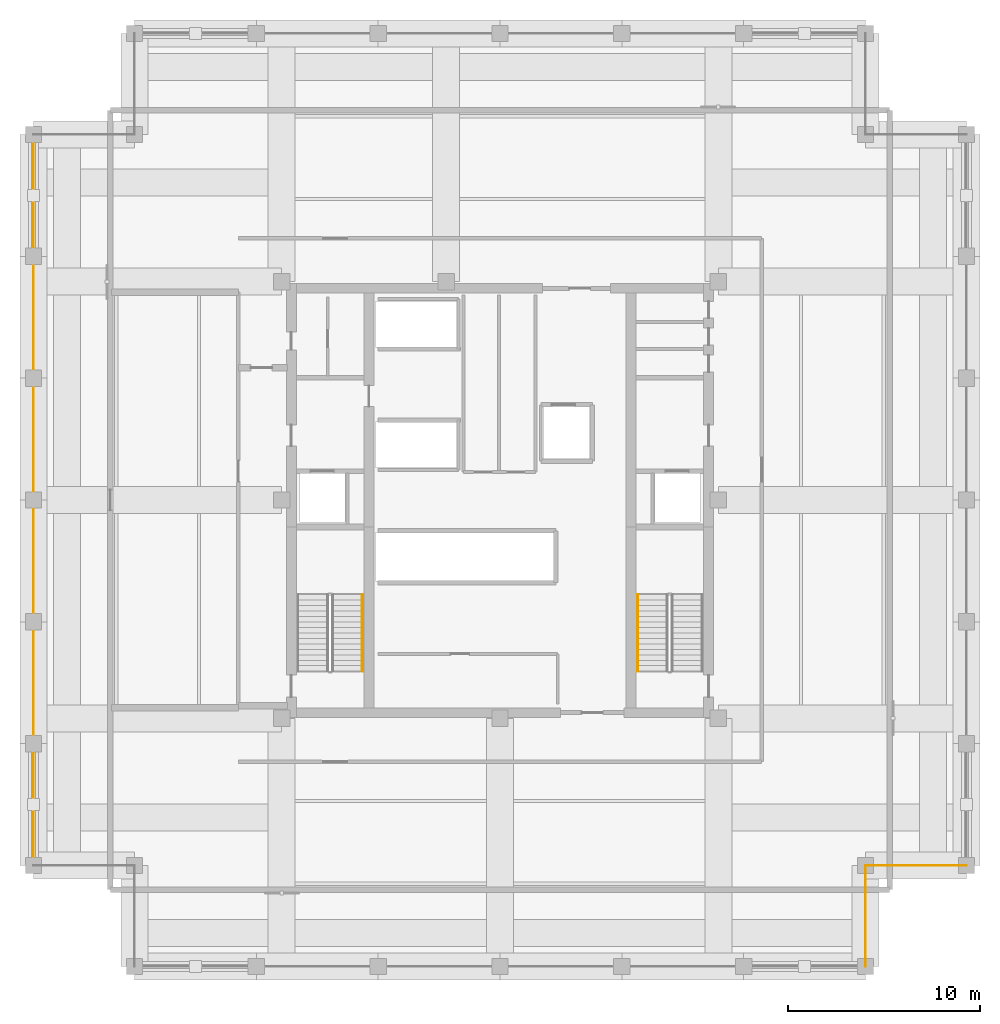
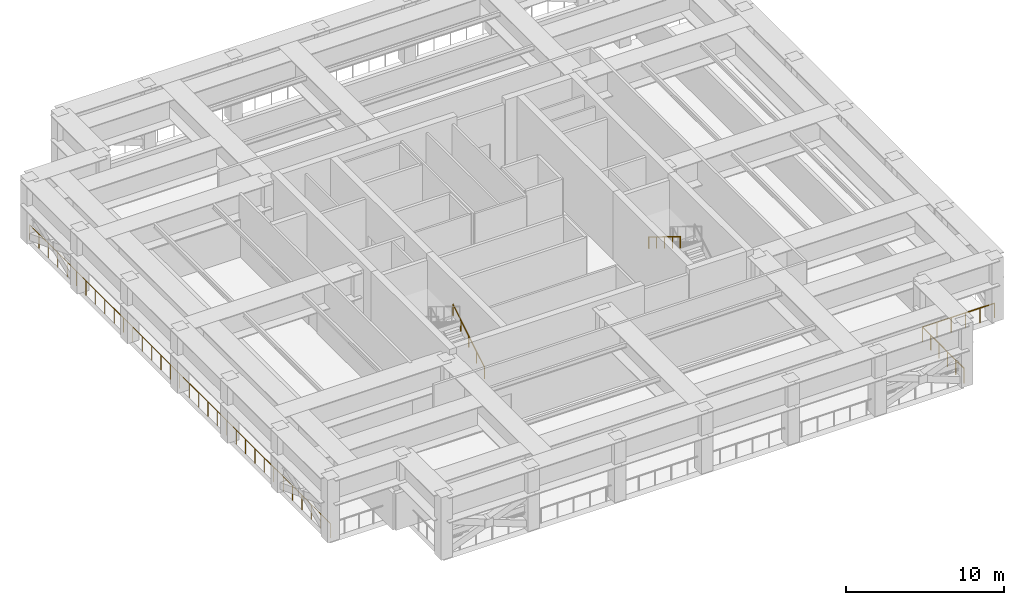
# One storey, part 8 of 10: 5 railings.
"""IFC4 building model written with IfcOpenShell, lengths in metres."""

from ifc_helpers import new_model, si_unit, direction, frame, origin, origin_2d, place, context, subcontext, project, spatial, circle, extrude, material, type_object, element, save


model = new_model("IFC4")

# Units and contexts
model_context = context("Model", 3, precision=1e-05, world=origin(), true_north=direction((0.0, 1.0)))
body_context = subcontext(model_context, "Body", "Model", "MODEL_VIEW")
ifc_project = project(units=[si_unit("LENGTHUNIT", "METRE"), si_unit("AREAUNIT", "SQUARE_METRE"), si_unit("VOLUMEUNIT", "CUBIC_METRE"), si_unit("PLANEANGLEUNIT", "RADIAN"), si_unit("MASSUNIT", "GRAM", prefix="KILO")], contexts=[model_context])

# Site, building, storey
site_placement = place(None, origin())
site = spatial("IfcSite", under=ifc_project, at=site_placement, CompositionType="ELEMENT")
building_placement = place(site_placement, origin())
building = spatial("IfcBuilding", under=site, at=building_placement, Name="Nhamokura Convention Tower", CompositionType="ELEMENT")
storey_placement = place(building_placement, frame((0.0, 0.0, 252.35009765625)))
storey = spatial("IfcBuildingStorey", under=building, at=storey_placement, Name="L62", CompositionType="ELEMENT", Elevation=252.35009765625)

# Railings
ifc_material_1 = material(Name="Anodised bronze stainless steel", Category="steel")
railing_type_1 = type_object("IfcRailingType", Name="StairWallHandrail_900", PredefinedType="HANDRAIL", material=ifc_material_1)
railing_1_placement = place(storey_placement, frame((24.85009765625, 23.10009765625, 0.1748046875)))
element("IfcRailing", 1, at=railing_1_placement, inside=storey, type_object=railing_type_1, Name="L62 ST-01 stair handrail 1", PredefinedType="HANDRAIL", context=body_context, shape_type="SweptSolid", body=[
    extrude(circle(Radius=0.02392578125, at=origin_2d()), frame((0.0, 0.0, 0.8759765625), z_axis=(0.0, 0.852152053685, 0.523294255081), x_axis=(-1.0, 0.0, 0.0)), (0.0, 0.0, 1.0), 4.682373046875),
    extrude(circle(Radius=0.02099609375, at=origin_2d()), origin(), (0.0, 0.0, 1.0), 0.851806640625),
    extrude(circle(Radius=0.02099609375, at=origin_2d()), frame((0.0, 0.99755859375, 0.612548828125)), (0.0, 0.0, 1.0), 0.851806640625),
    extrude(circle(Radius=0.02099609375, at=origin_2d()), frame((0.0, 1.9951171875, 1.22509765625)), (0.0, 0.0, 1.0), 0.851806640625),
    extrude(circle(Radius=0.02099609375, at=origin_2d()), frame((0.0, 2.992431640625, 1.837646484375)), (0.0, 0.0, 1.0), 0.851806640625),
    extrude(circle(Radius=0.02099609375, at=origin_2d()), frame((0.0, 3.989990234375, 2.4501953125)), (0.0, 0.0, 1.0), 0.851806640625),
])
railing_2_placement = place(storey_placement, frame((39.14990234375, 27.090087890625, 2.7998046875)))
element("IfcRailing", 2, at=railing_2_placement, inside=storey, type_object=railing_type_1, Name="L62 ST-02 stair handrail 2", PredefinedType="HANDRAIL", context=body_context, shape_type="SweptSolid", body=[
    extrude(circle(Radius=0.02392578125, at=origin_2d()), frame((0.0, 0.0, 0.8759765625), z_axis=(0.0, -0.852152053685, 0.523294255081), x_axis=(1.0, 0.0, 0.0)), (0.0, 0.0, 1.0), 4.682373046875),
    extrude(circle(Radius=0.02099609375, at=origin_2d()), origin(), (0.0, 0.0, 1.0), 0.851806640625),
    extrude(circle(Radius=0.02099609375, at=origin_2d()), frame((0.0, -0.99755859375, 0.612548828125)), (0.0, 0.0, 1.0), 0.851806640625),
    extrude(circle(Radius=0.02099609375, at=origin_2d()), frame((0.0, -1.9951171875, 1.22509765625)), (0.0, 0.0, 1.0), 0.851806640625),
    extrude(circle(Radius=0.02099609375, at=origin_2d()), frame((0.0, -2.992431640625, 1.837646484375)), (0.0, 0.0, 1.0), 0.851806640625),
    extrude(circle(Radius=0.02099609375, at=origin_2d()), frame((0.0, -3.989990234375, 2.4501953125)), (0.0, 0.0, 1.0), 0.851806640625),
])
ifc_material_2 = material(Name="Anodised bronze stainless steel", Category="steel")
railing_type_2 = type_object("IfcRailingType", Name="TerraceGuardrail_1150", PredefinedType="GUARDRAIL", material=ifc_material_2)
railing_3_placement = place(storey_placement, frame((51.0, 7.75, 0.0)))
element("IfcRailing", 3, at=railing_3_placement, inside=storey, type_object=railing_type_2, Name="L62 Perimeter Guardrail 02", PredefinedType="GUARDRAIL", context=body_context, shape_type="SweptSolid", body=[
    extrude(circle(Radius=0.02392578125, at=origin_2d()), frame((0.0, 0.0, 1.1259765625), z_axis=(0.0, 1.0, 0.0), x_axis=(-1.0, 0.0, 0.0)), (0.0, 0.0, 1.0), 5.25),
    extrude(circle(Radius=0.02099609375, at=origin_2d()), origin(), (0.0, 0.0, 1.0), 1.101806640625),
    extrude(circle(Radius=0.02099609375, at=origin_2d()), frame((0.0, 1.050048828125, 0.0)), (0.0, 0.0, 1.0), 1.101806640625),
    extrude(circle(Radius=0.02099609375, at=origin_2d()), frame((0.0, 2.10009765625, 0.0)), (0.0, 0.0, 1.0), 1.101806640625),
    extrude(circle(Radius=0.02099609375, at=origin_2d()), frame((0.0, 3.14990234375, 0.0)), (0.0, 0.0, 1.0), 1.101806640625),
    extrude(circle(Radius=0.02099609375, at=origin_2d()), frame((0.0, 4.199951171875, 0.0)), (0.0, 0.0, 1.0), 1.101806640625),
    extrude(circle(Radius=0.02099609375, at=origin_2d()), frame((0.0, 5.25, 0.0)), (0.0, 0.0, 1.0), 1.101806640625),
])
railing_4_placement = place(storey_placement, frame((51.0, 13.0, 0.0)))
element("IfcRailing", 4, at=railing_4_placement, inside=storey, type_object=railing_type_2, Name="L62 Perimeter Guardrail 03", PredefinedType="GUARDRAIL", context=body_context, shape_type="SweptSolid", body=[
    extrude(circle(Radius=0.02392578125, at=origin_2d()), frame((0.0, 0.0, 1.1259765625), z_axis=(1.0, 0.0, 0.0), x_axis=(0.0, 1.0, 0.0)), (0.0, 0.0, 1.0), 5.25),
    extrude(circle(Radius=0.02099609375, at=origin_2d()), origin(), (0.0, 0.0, 1.0), 1.101806640625),
    extrude(circle(Radius=0.02099609375, at=origin_2d()), frame((1.050048828125, 0.0, 0.0)), (0.0, 0.0, 1.0), 1.101806640625),
    extrude(circle(Radius=0.02099609375, at=origin_2d()), frame((2.10009765625, 0.0, 0.0)), (0.0, 0.0, 1.0), 1.101806640625),
    extrude(circle(Radius=0.02099609375, at=origin_2d()), frame((3.14990234375, 0.0, 0.0)), (0.0, 0.0, 1.0), 1.101806640625),
    extrude(circle(Radius=0.02099609375, at=origin_2d()), frame((4.199951171875, 0.0, 0.0)), (0.0, 0.0, 1.0), 1.101806640625),
    extrude(circle(Radius=0.02099609375, at=origin_2d()), frame((5.25, 0.0, 0.0)), (0.0, 0.0, 1.0), 1.101806640625),
])
railing_5_placement = place(storey_placement, frame((7.75, 51.0, 0.0)))
element("IfcRailing", 5, at=railing_5_placement, inside=storey, type_object=railing_type_2, Name="L62 Perimeter Guardrail 10", PredefinedType="GUARDRAIL", context=body_context, shape_type="SweptSolid", body=[
    extrude(circle(Radius=0.02392578125, at=origin_2d()), frame((0.0, 0.0, 1.1259765625), z_axis=(0.0, -1.0, 0.0), x_axis=(1.0, 0.0, 0.0)), (0.0, 0.0, 1.0), 38.0),
    extrude(circle(Radius=0.02099609375, at=origin_2d()), origin(), (0.0, 0.0, 1.0), 1.101806640625),
    extrude(circle(Radius=0.02099609375, at=origin_2d()), frame((0.0, -1.1875, 0.0)), (0.0, 0.0, 1.0), 1.101806640625),
    extrude(circle(Radius=0.02099609375, at=origin_2d()), frame((0.0, -2.375, 0.0)), (0.0, 0.0, 1.0), 1.101806640625),
    extrude(circle(Radius=0.02099609375, at=origin_2d()), frame((0.0, -3.5625, 0.0)), (0.0, 0.0, 1.0), 1.101806640625),
    extrude(circle(Radius=0.02099609375, at=origin_2d()), frame((0.0, -4.75, 0.0)), (0.0, 0.0, 1.0), 1.101806640625),
    extrude(circle(Radius=0.02099609375, at=origin_2d()), frame((0.0, -5.9375, 0.0)), (0.0, 0.0, 1.0), 1.101806640625),
    extrude(circle(Radius=0.02099609375, at=origin_2d()), frame((0.0, -7.125, 0.0)), (0.0, 0.0, 1.0), 1.101806640625),
    extrude(circle(Radius=0.02099609375, at=origin_2d()), frame((0.0, -8.3125, 0.0)), (0.0, 0.0, 1.0), 1.101806640625),
    extrude(circle(Radius=0.02099609375, at=origin_2d()), frame((0.0, -9.5, 0.0)), (0.0, 0.0, 1.0), 1.101806640625),
    extrude(circle(Radius=0.02099609375, at=origin_2d()), frame((0.0, -10.6875, 0.0)), (0.0, 0.0, 1.0), 1.101806640625),
    extrude(circle(Radius=0.02099609375, at=origin_2d()), frame((0.0, -11.875, 0.0)), (0.0, 0.0, 1.0), 1.101806640625),
    extrude(circle(Radius=0.02099609375, at=origin_2d()), frame((0.0, -13.0625, 0.0)), (0.0, 0.0, 1.0), 1.101806640625),
    extrude(circle(Radius=0.02099609375, at=origin_2d()), frame((0.0, -14.25, 0.0)), (0.0, 0.0, 1.0), 1.101806640625),
    extrude(circle(Radius=0.02099609375, at=origin_2d()), frame((0.0, -15.4375, 0.0)), (0.0, 0.0, 1.0), 1.101806640625),
    extrude(circle(Radius=0.02099609375, at=origin_2d()), frame((0.0, -16.625, 0.0)), (0.0, 0.0, 1.0), 1.101806640625),
    extrude(circle(Radius=0.02099609375, at=origin_2d()), frame((0.0, -17.8125, 0.0)), (0.0, 0.0, 1.0), 1.101806640625),
    extrude(circle(Radius=0.02099609375, at=origin_2d()), frame((0.0, -19.0, 0.0)), (0.0, 0.0, 1.0), 1.101806640625),
    extrude(circle(Radius=0.02099609375, at=origin_2d()), frame((0.0, -20.1875, 0.0)), (0.0, 0.0, 1.0), 1.101806640625),
    extrude(circle(Radius=0.02099609375, at=origin_2d()), frame((0.0, -21.375, 0.0)), (0.0, 0.0, 1.0), 1.101806640625),
    extrude(circle(Radius=0.02099609375, at=origin_2d()), frame((0.0, -22.5625, 0.0)), (0.0, 0.0, 1.0), 1.101806640625),
    extrude(circle(Radius=0.02099609375, at=origin_2d()), frame((0.0, -23.75, 0.0)), (0.0, 0.0, 1.0), 1.101806640625),
    extrude(circle(Radius=0.02099609375, at=origin_2d()), frame((0.0, -24.9375, 0.0)), (0.0, 0.0, 1.0), 1.101806640625),
    extrude(circle(Radius=0.02099609375, at=origin_2d()), frame((0.0, -26.125, 0.0)), (0.0, 0.0, 1.0), 1.101806640625),
    extrude(circle(Radius=0.02099609375, at=origin_2d()), frame((0.0, -27.3125, 0.0)), (0.0, 0.0, 1.0), 1.101806640625),
    extrude(circle(Radius=0.02099609375, at=origin_2d()), frame((0.0, -28.5, 0.0)), (0.0, 0.0, 1.0), 1.101806640625),
    extrude(circle(Radius=0.02099609375, at=origin_2d()), frame((0.0, -29.6875, 0.0)), (0.0, 0.0, 1.0), 1.101806640625),
    extrude(circle(Radius=0.02099609375, at=origin_2d()), frame((0.0, -30.875, 0.0)), (0.0, 0.0, 1.0), 1.101806640625),
    extrude(circle(Radius=0.02099609375, at=origin_2d()), frame((0.0, -32.0625, 0.0)), (0.0, 0.0, 1.0), 1.101806640625),
    extrude(circle(Radius=0.02099609375, at=origin_2d()), frame((0.0, -33.25, 0.0)), (0.0, 0.0, 1.0), 1.101806640625),
    extrude(circle(Radius=0.02099609375, at=origin_2d()), frame((0.0, -34.4375, 0.0)), (0.0, 0.0, 1.0), 1.101806640625),
    extrude(circle(Radius=0.02099609375, at=origin_2d()), frame((0.0, -35.625, 0.0)), (0.0, 0.0, 1.0), 1.101806640625),
    extrude(circle(Radius=0.02099609375, at=origin_2d()), frame((0.0, -36.8125, 0.0)), (0.0, 0.0, 1.0), 1.101806640625),
    extrude(circle(Radius=0.02099609375, at=origin_2d()), frame((0.0, -38.0, 0.0)), (0.0, 0.0, 1.0), 1.101806640625),
])

save(model, "model.ifc")
